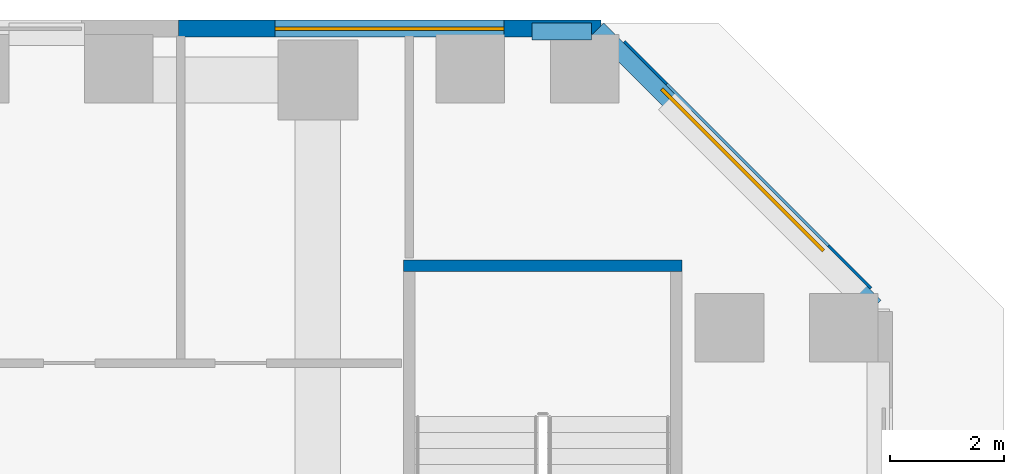
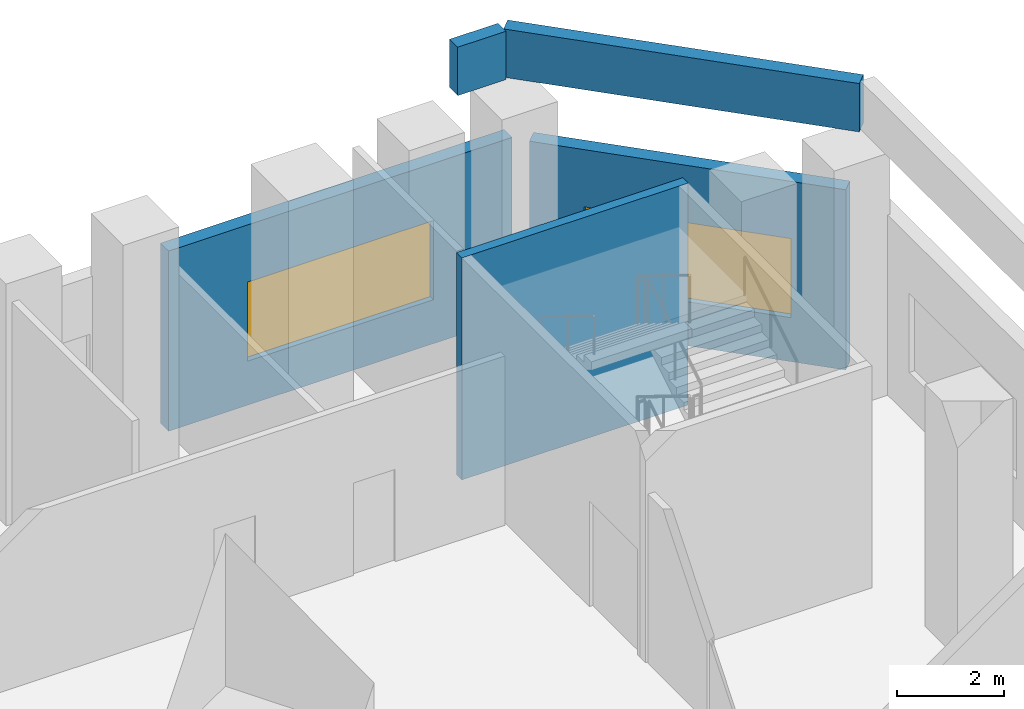
# One storey, part 12 of 22: 5 walls, 2 windows, 2 openings.
"""IFC4 building model written with IfcOpenShell, lengths in metres."""

from ifc_helpers import new_model, si_unit, direction, frame, frame_2d, origin, place, context, subcontext, project, spatial, rectangle, extrude, material, layer, layer_set, type_object, element, fill, save


model = new_model("IFC4")

# Units and contexts
model_context = context("Model", 3, precision=1e-05, world=origin(), true_north=direction((0.0, 1.0)))
body_context = subcontext(model_context, "Body", "Model", "MODEL_VIEW")
ifc_project = project(units=[si_unit("LENGTHUNIT", "METRE"), si_unit("AREAUNIT", "SQUARE_METRE"), si_unit("VOLUMEUNIT", "CUBIC_METRE"), si_unit("PLANEANGLEUNIT", "RADIAN"), si_unit("MASSUNIT", "GRAM", prefix="KILO")], contexts=[model_context])

# Site, building, storey
site_placement = place(None, origin())
site = spatial("IfcSite", under=ifc_project, at=site_placement, CompositionType="ELEMENT")
building_placement = place(site_placement, origin())
building = spatial("IfcBuilding", under=site, at=building_placement, Name="Calabash Gate Tower", CompositionType="ELEMENT")
storey_placement = place(building_placement, frame((0.0, 0.0, 34.5)))
storey = spatial("IfcBuildingStorey", under=building, at=storey_placement, Name="L04", CompositionType="ELEMENT", Elevation=34.5)

# Wall, opening, window
ifc_material_1 = material(Name="Terracotta brick masonry, exposed face", Category="masonry")
ifc_layer_1 = layer(ifc_material_1, 0.300048828125)
ifc_layer_set_1 = layer_set([ifc_layer_1], Name="Podium brick wall 300")
wall_type_1 = type_object("IfcWallType", Name="Podium brick wall 300", PredefinedType="SOLIDWALL", material=ifc_layer_set_1)
wall_1_placement = place(storey_placement, frame((41.587646484375, 20.27099609375, 0.0), z_axis=(0.0, 0.0, 1.0), x_axis=(-0.707106781187, 0.707106781187, 0.0)))
wall_1 = element("IfcWall", 1, at=wall_1_placement, inside=storey, type_object=wall_type_1, Name="Podium brick wall L04 3.0.0", PredefinedType="SOLIDWALL", context=body_context, shape_type="SweptSolid", body=[
    extrude(rectangle(XDim=6.104736328125, YDim=0.300048828125, at=frame_2d((3.05224609375, 0.0))), origin(), (0.0, 0.0, 1.0), 4.10009765625),
])
opening_1_placement = place(wall_1_placement, frame((1.05224609375, 0.0, 1.0)))
opening_1 = element("IfcOpeningElement", 2, at=opening_1_placement, cuts=wall_1, Name="Opening WM1", PredefinedType="OPENING", context=body_context, shape_type="SweptSolid", body=[
    extrude(rectangle(XDim=4.0, YDim=1.800048828125, at=frame_2d((2.0, 0.89990234375))), frame((0.0, 0.159912109375, 0.0), z_axis=(0.0, -1.0, 0.0), x_axis=(1.0, 0.0, 0.0)), (0.0, 0.0, 1.0), 0.320068359375),
])
ifc_material_2 = material(Name="Anodised aluminium frame, bronze finish, impact-rated laminated clear glazing", Category="aluminium")
window_type = type_object("IfcWindowType", Name="Window WM1 4000x1800", PartitioningType="TRIPLE_PANEL_VERTICAL", PredefinedType="WINDOW", material=ifc_material_2)
window_1_placement = place(opening_1_placement, origin())
window_1 = element("IfcWindow", 3, at=window_1_placement, inside=storey, type_object=window_type, Name="Meeting room window L04 3.0.0", OverallHeight=1.800048828125, OverallWidth=4.0, PartitioningType="SINGLE_PANEL", PredefinedType="WINDOW", context=body_context, shape_type="SweptSolid", body=[
    extrude(rectangle(XDim=4.0, YDim=1.800048828125, at=frame_2d((2.0, 0.89990234375))), frame((0.0, 0.030029296875, 0.0), z_axis=(0.0, -1.0, 0.0), x_axis=(1.0, 0.0, 0.0)), (0.0, 0.0, 1.0), 0.06005859375),
])
fill(opening_1, window_1)

wall_2_placement = place(storey_placement, frame((36.949951171875, 24.89990234375, 0.0), z_axis=(0.0, 0.0, 1.0), x_axis=(-1.0, 0.0, 0.0)))
wall_2 = element("IfcWall", 4, at=wall_2_placement, inside=storey, type_object=wall_type_1, Name="Podium brick wall L04 4.0.0", PredefinedType="SOLIDWALL", context=body_context, shape_type="SweptSolid", body=[
    extrude(rectangle(XDim=7.389892578125, YDim=0.300048828125, at=frame_2d((3.69482421875, 0.0))), origin(), (0.0, 0.0, 1.0), 4.10009765625),
])
opening_2_placement = place(wall_2_placement, frame((1.695068359375, 0.0, 1.0)))
opening_2 = element("IfcOpeningElement", 5, at=opening_2_placement, cuts=wall_2, Name="Opening WM1", PredefinedType="OPENING", context=body_context, shape_type="SweptSolid", body=[
    extrude(rectangle(XDim=4.0, YDim=1.800048828125, at=frame_2d((2.0, 0.89990234375))), frame((0.0, 0.159912109375, 0.0), z_axis=(0.0, -1.0, 0.0), x_axis=(1.0, 0.0, 0.0)), (0.0, 0.0, 1.0), 0.320068359375),
])
window_2_placement = place(opening_2_placement, origin())
window_2 = element("IfcWindow", 6, at=window_2_placement, inside=storey, type_object=window_type, Name="Meeting room window L04 4.0.0", OverallHeight=1.800048828125, OverallWidth=4.0, PartitioningType="SINGLE_PANEL", PredefinedType="WINDOW", context=body_context, shape_type="SweptSolid", body=[
    extrude(rectangle(XDim=4.0, YDim=1.800048828125, at=frame_2d((2.0, 0.89990234375))), frame((0.0, 0.030029296875, 0.0), z_axis=(0.0, -1.0, 0.0), x_axis=(1.0, 0.0, 0.0)), (0.0, 0.0, 1.0), 0.06005859375),
])
fill(opening_2, window_2)

# Walls
ifc_material_3 = material(Name="Terracotta brick masonry, exposed face", Category="masonry")
ifc_layer_2 = layer(ifc_material_3, 0.300048828125)
ifc_layer_set_2 = layer_set([ifc_layer_2], Name="Podium parapet wall 300")
wall_type_2 = type_object("IfcWallType", Name="Podium parapet wall 300", PredefinedType="PARAPET", material=ifc_layer_set_2)
wall_3_placement = place(storey_placement, frame((41.745361328125, 20.04248046875, 5.5), z_axis=(0.0, 0.0, 1.0), x_axis=(-0.70708898898, 0.707124572946, 0.0)))
element("IfcWall", 7, at=wall_3_placement, inside=storey, type_object=wall_type_2, Name="Podium parapet L04 3.0.0", PredefinedType="PARAPET", context=body_context, shape_type="SweptSolid", body=[
    extrude(rectangle(XDim=6.861083984375, YDim=0.300048828125, at=frame_2d((3.4306640625, 0.0))), origin(), (0.0, 0.0, 1.0), 1.10009765625),
])
wall_4_placement = place(storey_placement, frame((36.7900390625, 24.85009765625, 5.5), z_axis=(0.0, 0.0, 1.0), x_axis=(-1.0, 0.0, 0.0)))
element("IfcWall", 8, at=wall_4_placement, inside=storey, type_object=wall_type_2, Name="Podium parapet L04 4.0.0", PredefinedType="PARAPET", context=body_context, shape_type="SweptSolid", body=[
    extrude(rectangle(XDim=1.0400390625, YDim=0.300048828125, at=frame_2d((0.52001953125, 0.0))), origin(), (0.0, 0.0, 1.0), 1.10009765625),
])
ifc_material_4 = material(Name="Concrete C40/50", Category="concrete")
ifc_layer_3 = layer(ifc_material_4, 0.199951171875)
ifc_layer_set_3 = layer_set([ifc_layer_3], Name="Stair wall 200 Concrete C40/50")
wall_type_3 = type_object("IfcWallType", Name="Stair wall 200 Concrete C40/50", PredefinedType="SOLIDWALL", material=ifc_layer_set_3)
wall_5_placement = place(storey_placement, frame((33.5, 20.75, 0.0), z_axis=(0.0, 0.0, 1.0), x_axis=(1.0, 0.0, 0.0)))
element("IfcWall", 9, at=wall_5_placement, inside=storey, type_object=wall_type_3, Name="Stair wall", PredefinedType="SOLIDWALL", context=body_context, shape_type="SweptSolid", body=[
    extrude(rectangle(XDim=4.8701171875, YDim=0.199951171875, at=frame_2d((2.43505859375, 0.0))), origin(), (0.0, 0.0, 1.0), 5.050048828125),
])

save(model, "model.ifc")
